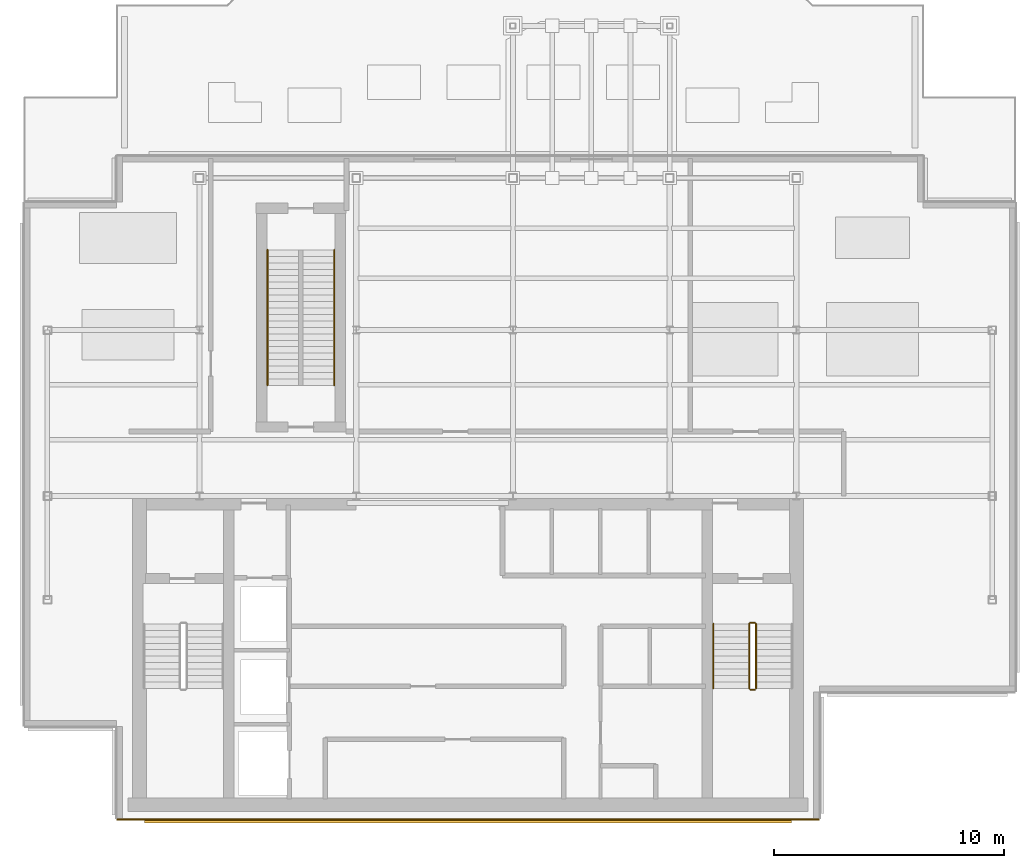
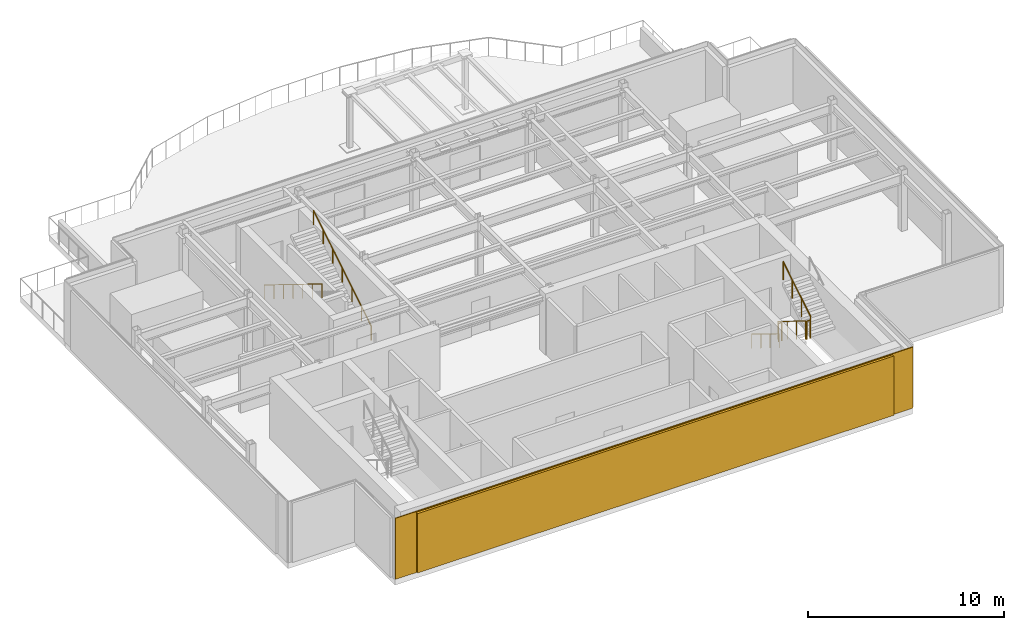
# One storey, part 7 of 9: 7 railings, 1 covering, 1 shading device.
"""IFC4 building model written with IfcOpenShell, lengths in metres."""

from ifc_helpers import new_model, si_unit, derived_unit, direction, frame, origin, origin_2d, place, context, subcontext, project, spatial, rectangle, circle, extrude, source, transform, mapped, material, layer, layer_set, type_object, element, save


model = new_model("IFC4")

# Units and contexts
model_context = context("Model", 3, precision=1e-05, world=origin(), true_north=direction((0.0, 1.0)))
body_context = subcontext(model_context, "Body", "Model", "MODEL_VIEW")
ifc_project = project(units=[si_unit("LENGTHUNIT", "METRE"), si_unit("AREAUNIT", "SQUARE_METRE"), si_unit("VOLUMEUNIT", "CUBIC_METRE"), si_unit("PLANEANGLEUNIT", "RADIAN"), si_unit("MASSUNIT", "GRAM", prefix="KILO"), derived_unit("THERMALTRANSMITTANCEUNIT", [(si_unit("POWERUNIT", "WATT"), 1), (si_unit("LENGTHUNIT", "METRE"), -2), (si_unit("THERMODYNAMICTEMPERATUREUNIT", "KELVIN"), -1)])], contexts=[model_context])

# Site, building, storey
site_placement = place(None, origin())
site = spatial("IfcSite", under=ifc_project, at=site_placement, CompositionType="ELEMENT")
building_placement = place(site_placement, origin())
building = spatial("IfcBuilding", under=site, at=building_placement, Name="Skarnbrae Concourse Arena and Tower", CompositionType="ELEMENT")
storey_placement = place(building_placement, frame((0.0, 0.0, 292.25)))
storey = spatial("IfcBuildingStorey", under=building, at=storey_placement, Name="L76", CompositionType="ELEMENT", Elevation=292.25)

# Railings
ifc_material_1 = material(Name="Steel CSA G40.21 350W", Category="steel")
railing_type_1 = type_object("IfcRailingType", Name="RAIL-HANDRAIL-900", PredefinedType="HANDRAIL", material=ifc_material_1)
railing_1_placement = place(storey_placement, frame((29.89990234375, 8.449951171875, 0.172607421875)))
element("IfcRailing", 1, at=railing_1_placement, inside=storey, type_object=railing_type_1, Name="L76 ST-2 stair handrail 1", PredefinedType="HANDRAIL", context=body_context, shape_type="SweptSolid", body=[
    extrude(circle(Radius=0.02392578125, at=origin_2d()), frame((0.0, 0.0, 0.8759765625), z_axis=(0.0, -0.851089632645, 0.525020415988), x_axis=(1.0, 0.0, 0.0)), (0.0, 0.0, 1.0), 3.2900390625),
    extrude(circle(Radius=0.02099609375, at=origin_2d()), origin(), (0.0, 0.0, 1.0), 0.851806640625),
    extrude(circle(Radius=0.02099609375, at=origin_2d()), frame((0.0, -0.933349609375, 0.57568359375)), (0.0, 0.0, 1.0), 0.851806640625),
    extrude(circle(Radius=0.02099609375, at=origin_2d()), frame((0.0, -1.86669921875, 1.151611328125)), (0.0, 0.0, 1.0), 0.851806640625),
    extrude(circle(Radius=0.02099609375, at=origin_2d()), frame((0.0, -2.800048828125, 1.727294921875)), (0.0, 0.0, 1.0), 0.851806640625),
])
railing_2_placement = place(storey_placement, frame((13.449951171875, 18.800048828125, 0.172607421875)))
element("IfcRailing", 2, at=railing_2_placement, inside=storey, type_object=railing_type_1, Name="L76 ST-CRWN stair handrail 1", PredefinedType="HANDRAIL", context=body_context, shape_type="SweptSolid", body=[
    extrude(circle(Radius=0.02392578125, at=origin_2d()), frame((0.0, 0.0, 0.8759765625), z_axis=(0.0, 0.851072970441, 0.525047425462), x_axis=(-1.0, 0.0, 0.0)), (0.0, 0.0, 1.0), 6.90869140625),
    extrude(circle(Radius=0.02099609375, at=origin_2d()), origin(), (0.0, 0.0, 1.0), 0.851806640625),
    extrude(circle(Radius=0.02099609375, at=origin_2d()), frame((0.0, 0.97998046875, 0.6044921875)), (0.0, 0.0, 1.0), 0.851806640625),
    extrude(circle(Radius=0.02099609375, at=origin_2d()), frame((0.0, 1.9599609375, 1.209228515625)), (0.0, 0.0, 1.0), 0.851806640625),
    extrude(circle(Radius=0.02099609375, at=origin_2d()), frame((0.0, 2.93994140625, 1.813720703125)), (0.0, 0.0, 1.0), 0.851806640625),
    extrude(circle(Radius=0.02099609375, at=origin_2d()), frame((0.0, 3.919921875, 2.418212890625)), (0.0, 0.0, 1.0), 0.851806640625),
    extrude(circle(Radius=0.02099609375, at=origin_2d()), frame((0.0, 4.89990234375, 3.02294921875)), (0.0, 0.0, 1.0), 0.851806640625),
    extrude(circle(Radius=0.02099609375, at=origin_2d()), frame((0.0, 5.8798828125, 3.62744140625)), (0.0, 0.0, 1.0), 0.851806640625),
])
railing_3_placement = place(storey_placement, frame((10.550048828125, 24.679931640625, 0.172607421875)))
element("IfcRailing", 3, at=railing_3_placement, inside=storey, type_object=railing_type_1, Name="L76 ST-CRWN stair handrail 1", PredefinedType="HANDRAIL", context=body_context, shape_type="SweptSolid", body=[
    extrude(circle(Radius=0.02392578125, at=origin_2d()), frame((0.0, 0.0, 0.8759765625), z_axis=(0.0, -0.851072970441, 0.525047425462), x_axis=(1.0, 0.0, 0.0)), (0.0, 0.0, 1.0), 6.90869140625),
    extrude(circle(Radius=0.02099609375, at=origin_2d()), origin(), (0.0, 0.0, 1.0), 0.851806640625),
    extrude(circle(Radius=0.02099609375, at=origin_2d()), frame((0.0, -0.97998046875, 0.6044921875)), (0.0, 0.0, 1.0), 0.851806640625),
    extrude(circle(Radius=0.02099609375, at=origin_2d()), frame((0.0, -1.9599609375, 1.209228515625)), (0.0, 0.0, 1.0), 0.851806640625),
    extrude(circle(Radius=0.02099609375, at=origin_2d()), frame((0.0, -2.93994140625, 1.813720703125)), (0.0, 0.0, 1.0), 0.851806640625),
    extrude(circle(Radius=0.02099609375, at=origin_2d()), frame((0.0, -3.919921875, 2.418212890625)), (0.0, 0.0, 1.0), 0.851806640625),
    extrude(circle(Radius=0.02099609375, at=origin_2d()), frame((0.0, -4.89990234375, 3.02294921875)), (0.0, 0.0, 1.0), 0.851806640625),
    extrude(circle(Radius=0.02099609375, at=origin_2d()), frame((0.0, -5.8798828125, 3.62744140625)), (0.0, 0.0, 1.0), 0.851806640625),
])
railing_type_2 = type_object("IfcRailingType", Name="RAIL-STAIR-GUARD-1150", PredefinedType="GUARDRAIL", material=ifc_material_1)
railing_4_placement = place(storey_placement, frame((31.449951171875, 8.449951171875, 0.172607421875)))
element("IfcRailing", 4, at=railing_4_placement, inside=storey, type_object=railing_type_2, Name="L76 ST-2 stair guard 1", PredefinedType="GUARDRAIL", context=body_context, shape_type="SweptSolid", body=[
    extrude(circle(Radius=0.02392578125, at=origin_2d()), frame((0.0, 0.0, 1.1259765625), z_axis=(0.0, -0.851089632645, 0.525020415988), x_axis=(1.0, 0.0, 0.0)), (0.0, 0.0, 1.0), 3.2900390625),
    extrude(circle(Radius=0.02099609375, at=origin_2d()), origin(), (0.0, 0.0, 1.0), 1.101806640625),
    extrude(circle(Radius=0.02099609375, at=origin_2d()), frame((0.0, -0.933349609375, 0.57568359375)), (0.0, 0.0, 1.0), 1.101806640625),
    extrude(circle(Radius=0.02099609375, at=origin_2d()), frame((0.0, -1.86669921875, 1.151611328125)), (0.0, 0.0, 1.0), 1.101806640625),
    extrude(circle(Radius=0.02099609375, at=origin_2d()), frame((0.0, -2.800048828125, 1.727294921875)), (0.0, 0.0, 1.0), 1.101806640625),
])
railing_5_placement = place(storey_placement, frame((31.5, 5.60009765625, 1.89990234375)))
element("IfcRailing", 5, at=railing_5_placement, inside=storey, type_object=railing_type_2, Name="L76 ST-2 stair guard 2", PredefinedType="GUARDRAIL", context=body_context, shape_type="SweptSolid", body=[
    extrude(circle(Radius=0.02392578125, at=origin_2d()), frame((0.0, 0.0, 1.1259765625), z_axis=(1.0, 0.0, 0.0), x_axis=(0.0, 1.0, 0.0)), (0.0, 0.0, 1.0), 0.199951171875),
    extrude(circle(Radius=0.02099609375, at=origin_2d()), origin(), (0.0, 0.0, 1.0), 1.101806640625),
    extrude(circle(Radius=0.02099609375, at=origin_2d()), frame((0.199951171875, 0.0, 0.0)), (0.0, 0.0, 1.0), 1.101806640625),
])
railing_6_placement = place(storey_placement, frame((31.75, 5.64990234375, 2.07275390625)))
element("IfcRailing", 6, at=railing_6_placement, inside=storey, type_object=railing_type_2, Name="L76 ST-2 stair guard 3", PredefinedType="GUARDRAIL", context=body_context, shape_type="SweptSolid", body=[
    extrude(circle(Radius=0.02392578125, at=origin_2d()), frame((0.0, 0.0, 1.1259765625), z_axis=(0.0, 0.851089632645, 0.525020415988), x_axis=(-1.0, 0.0, 0.0)), (0.0, 0.0, 1.0), 3.2900390625),
    extrude(circle(Radius=0.02099609375, at=origin_2d()), origin(), (0.0, 0.0, 1.0), 1.101806640625),
    extrude(circle(Radius=0.02099609375, at=origin_2d()), frame((0.0, 0.933349609375, 0.57568359375)), (0.0, 0.0, 1.0), 1.101806640625),
    extrude(circle(Radius=0.02099609375, at=origin_2d()), frame((0.0, 1.86669921875, 1.151611328125)), (0.0, 0.0, 1.0), 1.101806640625),
    extrude(circle(Radius=0.02099609375, at=origin_2d()), frame((0.0, 2.800048828125, 1.727294921875)), (0.0, 0.0, 1.0), 1.101806640625),
])
railing_7_placement = place(storey_placement, frame((31.5, 8.5, 0.0)))
element("IfcRailing", 7, at=railing_7_placement, inside=storey, type_object=railing_type_2, Name="L76 ST-2 stair guard 4", PredefinedType="GUARDRAIL", context=body_context, shape_type="SweptSolid", body=[
    extrude(circle(Radius=0.02392578125, at=origin_2d()), frame((0.0, 0.0, 1.1259765625), z_axis=(1.0, 0.0, 0.0), x_axis=(0.0, 1.0, 0.0)), (0.0, 0.0, 1.0), 0.199951171875),
    extrude(circle(Radius=0.02099609375, at=origin_2d()), origin(), (0.0, 0.0, 1.0), 1.101806640625),
    extrude(circle(Radius=0.02099609375, at=origin_2d()), frame((0.199951171875, 0.0, 0.0)), (0.0, 0.0, 1.0), 1.101806640625),
])

# Covering
ifc_material_2 = material(Name="Bronze anodised aluminium 6063-T6", Category="aluminium")
ifc_layer = layer(ifc_material_2, 0.06005859375)
ifc_layer_set = layer_set([ifc_layer], Name="Bronze anodised aluminium 6063-T6")
covering_type = type_object("IfcCoveringType", Name="COV-CLAD-BRONZE-60", PredefinedType="CLADDING", material=ifc_layer_set)
shared_shape_1 = source(origin(), body_context, "Body", "SweptSolid", [
    extrude(rectangle(XDim=30.5, YDim=0.06005859375, at=origin_2d()), origin(), (0.0, 0.0, 1.0), 3.800048828125),
])
covering_placement = place(storey_placement, frame((19.25, -0.030029296875, 0.0), z_axis=(0.0, 0.0, 1.0), x_axis=(1.0, 0.0, 0.0)))
element("IfcCovering", 8, at=covering_placement, inside=storey, type_object=covering_type, Name="L76 Bronze crown rainscreen cladding 01", PredefinedType="CLADDING", context=body_context, shape_type="MappedRepresentation", body=[
    mapped(shared_shape_1, transform((0.0, 0.0, 0.0))),
])

# Shading device
shading_device_type = type_object("IfcShadingDeviceType", Name="SHD-BRONZE-LOUVRE-150", PredefinedType="USERDEFINED", material=ifc_material_2)
shared_shape_2 = source(origin(), body_context, "Body", "SweptSolid", [
    extrude(rectangle(XDim=28.06005859375, YDim=0.139892578125, at=origin_2d()), origin(), (0.0, 0.0, 1.0), 3.699951171875),
])
shading_device_placement = place(storey_placement, frame((19.25, -0.1201171875, 0.0498046875), z_axis=(0.0, 0.0, 1.0), x_axis=(1.0, 0.0, 0.0)))
element("IfcShadingDevice", 9, at=shading_device_placement, inside=storey, type_object=shading_device_type, Name="L76 Crown bronze architectural louvre screen 01", ObjectType="LOUVRE", PredefinedType="USERDEFINED", context=body_context, shape_type="MappedRepresentation", body=[
    mapped(shared_shape_2, transform((0.0, 0.0, 0.0))),
])

save(model, "model.ifc")
